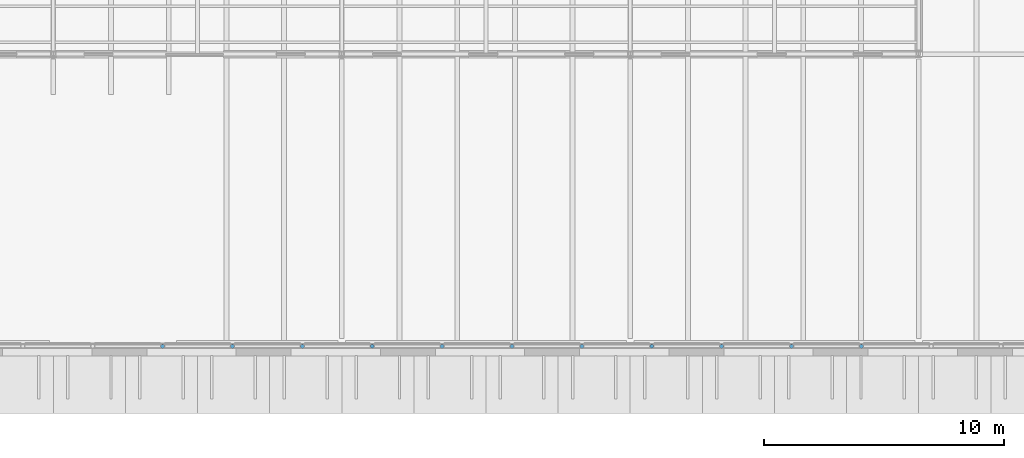
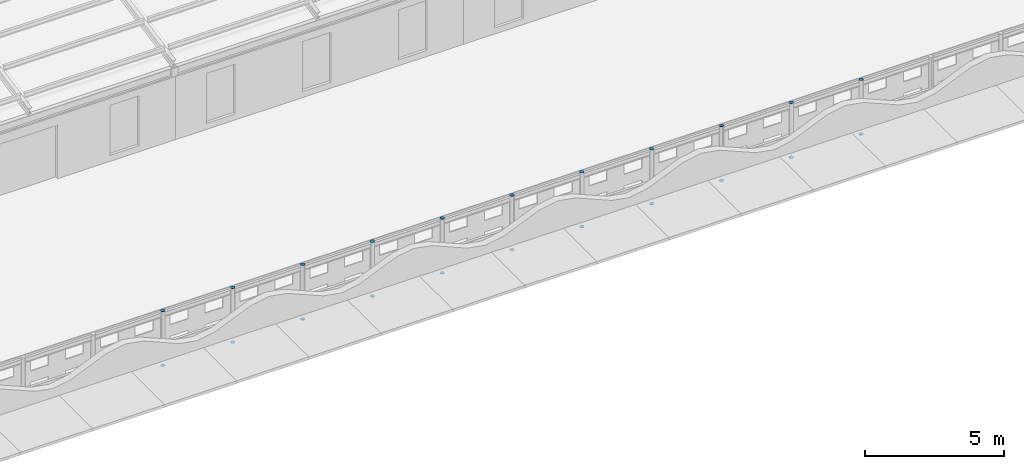
# One storey, part 76 of 91: 22 discrete accessories.
"""IFC4 building model written with IfcOpenShell, lengths in metres."""

import ifcopenshell
import ifcopenshell.guid

model = None  # the IFC model being written
_history = None  # IfcOwnerHistory: only IFC2X3 demands one
_inside = {}  # id of a spatial element -> (the spatial element, [elements in it])
_under = {}  # id of a project, library or spatial element -> (it, [spatial elements below it])
_declared = {}  # id of a project -> (the project, [libraries it declares])
_typed = {}  # id of a type object -> (the type object, [elements of that type])
_made_of = {}  # id of a material, layer set ... -> (it, [elements and type objects made of it])


def new_model(schema):
    """Start an empty IFC model of exactly this schema.

    Asked for "IFC4X3", IfcOpenShell would pick the latest addendum, in which some entities
    have other attributes; the version numbers below select the first issue.
    IFC2X3 requires an IfcOwnerHistory on every rooted entity: one is made here for all.
    """
    global model, _history
    if schema == "IFC4X3":
        model = ifcopenshell.file(schema_version=(4, 3, 0, 0))
    else:
        model = ifcopenshell.file(schema=schema)
    _inside.clear()
    _under.clear()
    _declared.clear()
    _typed.clear()
    _made_of.clear()
    _history = None
    if model.schema == "IFC2X3":
        org = make("IfcOrganization", Name="unknown")
        user = make(
            "IfcPersonAndOrganization",
            ThePerson=make("IfcPerson", FamilyName="unknown"),
            TheOrganization=org,
        )
        app = make(
            "IfcApplication",
            ApplicationDeveloper=org,
            Version="unknown",
            ApplicationFullName="unknown",
            ApplicationIdentifier="unknown",
        )
        _history = make(
            "IfcOwnerHistory",
            OwningUser=user,
            OwningApplication=app,
            ChangeAction="ADDED",
            CreationDate=0,
        )
    return model


def make(cls, **values):
    """One entity of the class cls with the attributes given. An attribute that is None is left unset."""
    return model.create_entity(
        cls, **{name: value for name, value in values.items() if value is not None}
    )


def rooted(cls, **values):
    """An entity with a GlobalId (a new one), such as an element, a storey or a relation."""
    return make(cls, GlobalId=ifcopenshell.guid.new(), OwnerHistory=_history, **values)


def si_unit(unit_type, name, prefix=None):
    """IfcSIUnit, for example si_unit("LENGTHUNIT", "METRE", prefix="MILLI")."""
    return make("IfcSIUnit", UnitType=unit_type, Prefix=prefix, Name=name)


def assignment(units):
    """IfcUnitAssignment: the units of a project."""
    return None if units is None else make("IfcUnitAssignment", Units=units)


def point(xyz):
    """IfcCartesianPoint."""
    return None if xyz is None else make("IfcCartesianPoint", Coordinates=xyz)


def direction(xyz):
    """IfcDirection."""
    return None if xyz is None else make("IfcDirection", DirectionRatios=xyz)


def frame(location, z_axis=None, x_axis=None):
    """IfcAxis2Placement3D, a coordinate frame: its origin and axes. An axis left out is left unset."""
    return make(
        "IfcAxis2Placement3D",
        Location=point(location),
        Axis=direction(z_axis),
        RefDirection=direction(x_axis),
    )


def frame_2d(location, x_axis=None):
    """IfcAxis2Placement2D, a coordinate frame in the plane: its origin and x axis."""
    return make(
        "IfcAxis2Placement2D", Location=point(location), RefDirection=direction(x_axis)
    )


def origin():
    """The frame at (0, 0, 0) with its axes left unset."""
    return frame((0.0, 0.0, 0.0))


def origin_2d():
    """The frame at (0, 0) in the plane with its x axis left unset."""
    return frame_2d((0.0, 0.0))


def place(relative_to, where):
    """IfcLocalPlacement: puts the frame where relative to a parent placement (None: the world)."""
    return make(
        "IfcLocalPlacement", PlacementRelTo=relative_to, RelativePlacement=where
    )


def context(
    kind, dimensions, precision=None, world=None, true_north=None, identifier=None
):
    """IfcGeometricRepresentationContext, for example the 3D "Model" context."""
    return make(
        "IfcGeometricRepresentationContext",
        ContextIdentifier=identifier,
        ContextType=kind,
        CoordinateSpaceDimension=dimensions,
        Precision=precision,
        WorldCoordinateSystem=world,
        TrueNorth=true_north,
    )


def subcontext(parent, identifier, kind, view, scale=None):
    """IfcGeometricRepresentationSubContext, for example "Body" below "Model"."""
    return make(
        "IfcGeometricRepresentationSubContext",
        ContextIdentifier=identifier,
        ContextType=kind,
        ParentContext=parent,
        TargetScale=scale,
        TargetView=view,
    )


def project(units=None, contexts=None):
    """IfcProject with its units and contexts."""
    return rooted(
        "IfcProject",
        Name="project",
        RepresentationContexts=contexts,
        UnitsInContext=assignment(units),
    )


def spatial(cls, under=None, at=None, **own):
    """A site, building, storey or space (cls), placed at a placement, below another one or the project."""
    s = rooted(cls, ObjectPlacement=at, **own)
    if under is not None:
        _under.setdefault(under.id(), (under, []))[1].append(s)
    return s


def profile(cls, at=None, kind="AREA", **sizes):
    """A parametric profile (cls). Its sizes go by their IFC names, for example OverallWidth=200.0."""
    return make(cls, ProfileType=kind, Position=at, **sizes)


def circle(**sizes):
    """IfcCircleProfileDef."""
    return profile("IfcCircleProfileDef", **sizes)


def extrude(swept, where, along, depth):
    """IfcExtrudedAreaSolid: the profile swept, set in the frame where, extruded along a direction by depth."""
    return make(
        "IfcExtrudedAreaSolid",
        SweptArea=swept,
        Position=where,
        ExtrudedDirection=direction(along),
        Depth=depth,
    )


def shape(context_of_items, identifier, shape_type, items):
    """IfcShapeRepresentation: the items that make up one representation, for example the "Body"."""
    return make(
        "IfcShapeRepresentation",
        ContextOfItems=context_of_items,
        RepresentationIdentifier=identifier,
        RepresentationType=shape_type,
        Items=items,
    )


def material(Name=None, Category=None):
    """IfcMaterial."""
    return make("IfcMaterial", Name=Name, Category=Category)


def material_profile(
    of_material, cross_section, Name=None, Category=None, Priority=None
):
    """IfcMaterialProfile: a cross section and its material."""
    return make(
        "IfcMaterialProfile",
        Name=Name,
        Material=of_material,
        Profile=cross_section,
        Priority=Priority,
        Category=Category,
    )


def profile_set(profiles, Name=None, composite=None):
    """IfcMaterialProfileSet."""
    return make(
        "IfcMaterialProfileSet",
        Name=Name,
        MaterialProfiles=profiles,
        CompositeProfile=composite,
    )


def made_of(thing, what):
    """Note that an element or type object is made of a material, layer set ...; save() writes the relation."""
    if what is not None:
        _made_of.setdefault(what.id(), (what, []))[1].append(thing)
    return thing


def type_object(cls, material=None, **own):
    """A type object (cls), such as IfcWallType, which elements share."""
    return made_of(rooted(cls, **own), material)


def element(
    cls,
    number,
    at=None,
    inside=None,
    cuts=None,
    type_object=None,
    material=None,
    context=None,
    identifier="Body",
    shape_type=None,
    held_by="IfcProductDefinitionShape",
    body=None,
    shapes=None,
    **own,
):
    """One element of the class cls, such as IfcWall. Its Tag is "e" and its number.

    at: its placement. inside: the storey or other place that contains it. cuts: it is an
    opening in that element (IfcRelVoidsElement). A single representation is given by context,
    identifier, shape_type and body (its items); several are given by shapes. held_by: the class
    of the entity that holds the representations. save() writes the other relations.
    """
    e = rooted(cls, Tag="e%d" % number, ObjectPlacement=at, **own)
    if body is not None:
        shapes = [shape(context, identifier, shape_type, body)]
    if shapes is not None:
        e.Representation = make(held_by, Representations=shapes)
    if inside is not None:
        _inside.setdefault(inside.id(), (inside, []))[1].append(e)
    if cuts is not None:
        rooted(
            "IfcRelVoidsElement", RelatingBuildingElement=cuts, RelatedOpeningElement=e
        )
    if type_object is not None:
        _typed.setdefault(type_object.id(), (type_object, []))[1].append(e)
    return made_of(e, material)


def aggregate(whole, parts):
    """IfcRelAggregates: a whole, such as a stair, and the parts it consists of."""
    return rooted("IfcRelAggregates", RelatingObject=whole, RelatedObjects=parts)


def save(model, path):
    """Write the relations noted so far, then the file.

    IfcRelAggregates (storeys below a building ...), IfcRelContainedInSpatialStructure (elements
    in a storey), IfcRelDefinesByType, IfcRelAssociatesMaterial and IfcRelDeclares: one each for
    every whole, place, type object, material and project.
    """
    for whole, parts in _under.values():
        aggregate(whole, parts)
    for where, things in _inside.values():
        rooted(
            "IfcRelContainedInSpatialStructure",
            RelatedElements=things,
            RelatingStructure=where,
        )
    for kind, things in _typed.values():
        rooted("IfcRelDefinesByType", RelatedObjects=things, RelatingType=kind)
    for what, things in _made_of.values():
        rooted("IfcRelAssociatesMaterial", RelatedObjects=things, RelatingMaterial=what)
    for by, libraries in _declared.values():
        rooted("IfcRelDeclares", RelatingContext=by, RelatedDefinitions=libraries)
    model.write(path)


model = new_model("IFC4")

# Units and contexts
model_context = context("Model", 3, precision=1e-05, world=origin(), true_north=direction((0.0, 1.0)))
body_context = subcontext(model_context, "Body", "Model", "MODEL_VIEW")
ifc_project = project(units=[si_unit("LENGTHUNIT", "METRE"), si_unit("AREAUNIT", "SQUARE_METRE"), si_unit("VOLUMEUNIT", "CUBIC_METRE"), si_unit("PLANEANGLEUNIT", "RADIAN"), si_unit("MASSUNIT", "GRAM", prefix="KILO")], contexts=[model_context])

# Site, building, storey
site_placement = place(None, origin())
site = spatial("IfcSite", under=ifc_project, at=site_placement, CompositionType="ELEMENT")
building_placement = place(site_placement, origin())
building = spatial("IfcBuilding", under=site, at=building_placement, Name="Ravi Spectrum Wholesale Market", CompositionType="ELEMENT")
storey_placement = place(building_placement, frame((0.0, 0.0, 16.199951171875)))
storey = spatial("IfcBuildingStorey", under=building, at=storey_placement, Name="ROOF PLANT LEVEL", CompositionType="ELEMENT", Elevation=16.199951171875)

# Discrete accessories
ifc_material = material(Name="Steel S355", Category="steel")
ifc_material_profile = material_profile(ifc_material, circle(Radius=0.084228515625, at=origin_2d()))
ifc_profile_set = profile_set([ifc_material_profile], Name="Steel S355")
discrete_accessory_type = type_object("IfcDiscreteAccessoryType", Name="End plate CHS 168.3x6.3", PredefinedType="BRACKET", material=ifc_profile_set)
for number, where, z_axis, x_axis, name in (
    (1, (238.546630859375, 17.85009765625, 0.0), (0.0, 0.0, -1.0), (1.0, 0.0, 0.0), "End plate"),
    (2, (238.546630859375, 17.85009765625, 2.400146484375), (0.0, 0.0, 1.0), (1.0, 0.0, 0.0), "End plate"),
    (3, (241.453369140625, 17.85009765625, 0.0), (0.0, 0.0, -1.0), (1.0, 0.0, 0.0), "End plate"),
    (4, (241.453369140625, 17.85009765625, 2.400146484375), (0.0, 0.0, 1.0), (1.0, 0.0, 0.0), "End plate"),
    (5, (244.3603515625, 17.85009765625, 0.0), (0.0, 0.0, -1.0), (1.0, 0.0, 0.0), "End plate"),
    (6, (244.3603515625, 17.85009765625, 2.400146484375), (0.0, 0.0, 1.0), (1.0, 0.0, 0.0), "End plate"),
    (7, (247.267333984375, 17.85009765625, 0.0), (0.0, 0.0, -1.0), (1.0, 0.0, 0.0), "End plate"),
    (8, (247.267333984375, 17.85009765625, 2.400146484375), (0.0, 0.0, 1.0), (1.0, 0.0, 0.0), "End plate"),
    (9, (250.174072265625, 17.85009765625, 0.0), (0.0, 0.0, -1.0), (1.0, 0.0, 0.0), "End plate"),
    (10, (250.174072265625, 17.85009765625, 2.400146484375), (0.0, 0.0, 1.0), (1.0, 0.0, 0.0), "End plate"),
    (11, (253.0810546875, 17.85009765625, 0.0), (0.0, 0.0, -1.0), (1.0, 0.0, 0.0), "End plate"),
    (12, (253.0810546875, 17.85009765625, 2.400146484375), (0.0, 0.0, 1.0), (1.0, 0.0, 0.0), "End plate"),
    (13, (255.988037109375, 17.85009765625, 0.0), (0.0, 0.0, -1.0), (1.0, 0.0, 0.0), "End plate"),
    (14, (255.988037109375, 17.85009765625, 2.400146484375), (0.0, 0.0, 1.0), (1.0, 0.0, 0.0), "End plate"),
    (15, (258.894775390625, 17.85009765625, 0.0), (0.0, 0.0, -1.0), (1.0, 0.0, 0.0), "End plate"),
    (16, (258.894775390625, 17.85009765625, 2.400146484375), (0.0, 0.0, 1.0), (1.0, 0.0, 0.0), "End plate"),
    (17, (261.8017578125, 17.85009765625, 0.0), (0.0, 0.0, -1.0), (1.0, 0.0, 0.0), "End plate"),
    (18, (261.8017578125, 17.85009765625, 2.400146484375), (0.0, 0.0, 1.0), (1.0, 0.0, 0.0), "End plate"),
    (19, (264.708740234375, 17.85009765625, 0.0), (0.0, 0.0, -1.0), (1.0, 0.0, 0.0), "End plate"),
    (20, (264.708740234375, 17.85009765625, 2.400146484375), (0.0, 0.0, 1.0), (1.0, 0.0, 0.0), "End plate"),
    (21, (267.615478515625, 17.85009765625, 0.0), (0.0, 0.0, -1.0), (1.0, 0.0, 0.0), "End plate"),
    (22, (267.615478515625, 17.85009765625, 2.400146484375), (0.0, 0.0, 1.0), (1.0, 0.0, 0.0), "End plate"),
):
    element("IfcDiscreteAccessory", number, at=place(storey_placement, frame(where, z_axis=z_axis, x_axis=x_axis)), inside=storey, type_object=discrete_accessory_type, Name=name, PredefinedType="BRACKET", context=body_context, shape_type="SweptSolid", body=[
        extrude(circle(Radius=0.084228515625, at=origin_2d()), origin(), (0.0, 0.0, 1.0), 0.011962890625),
    ])

save(model, "model.ifc")
